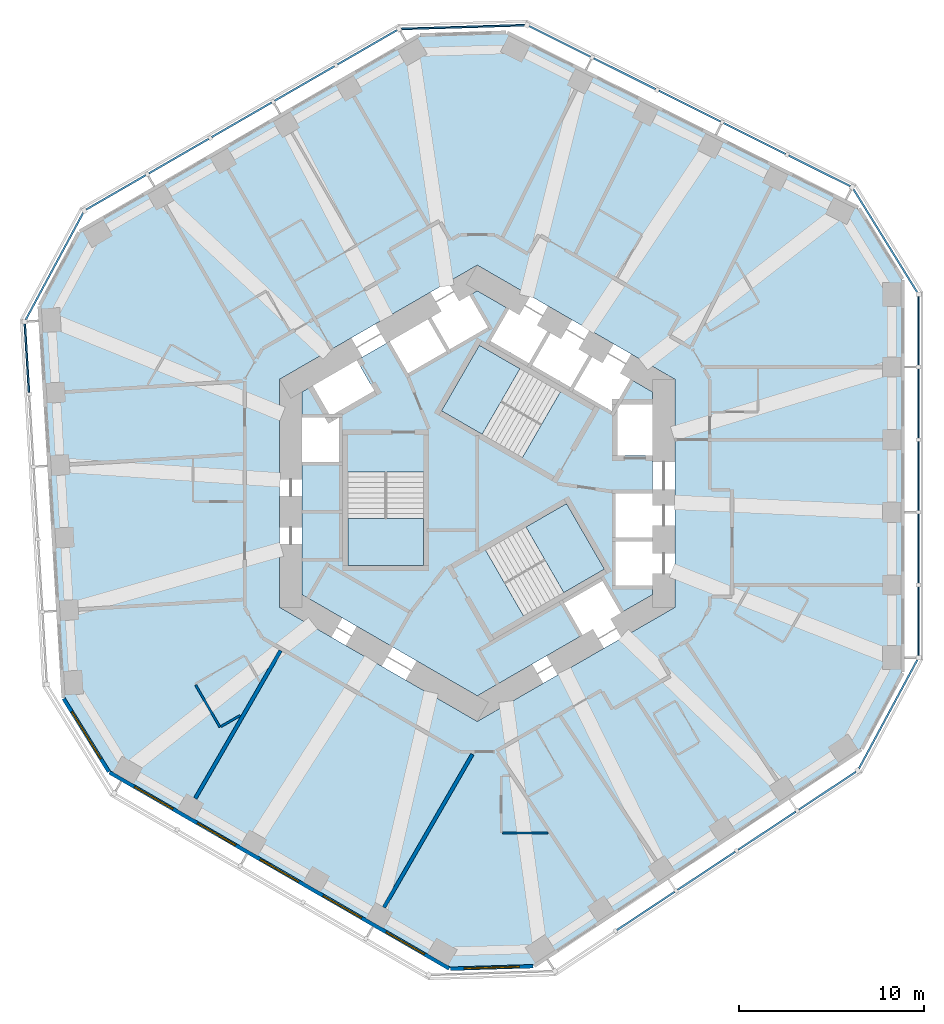
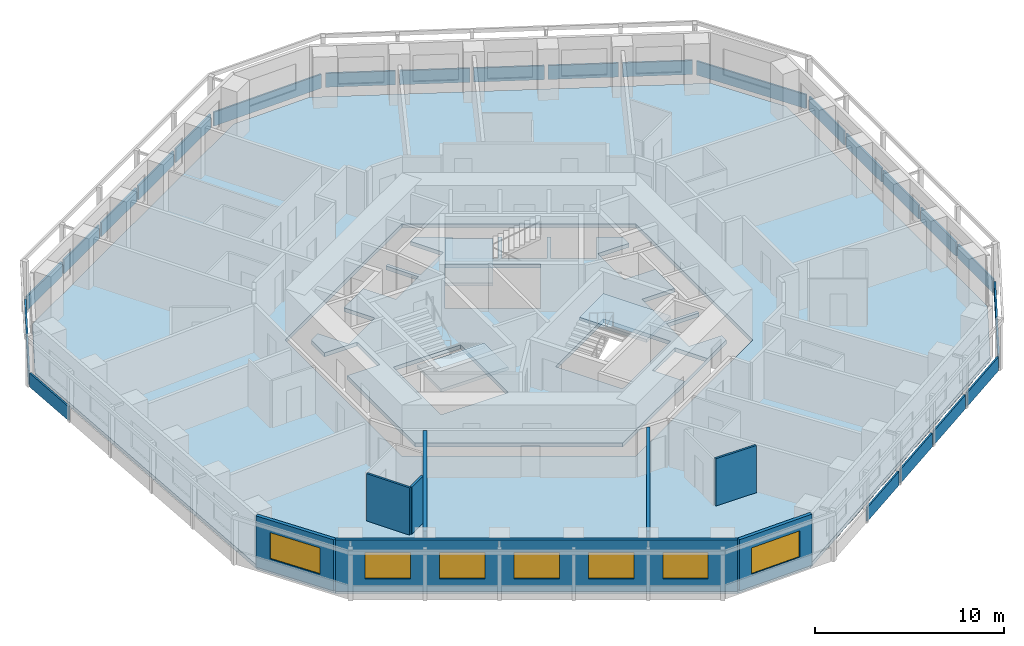
# One storey, part 3 of 12: 24 plates, 8 walls, 7 windows, 5 slabs, 7 openings, 12 elements without a shape of their own.
"""IFC4 building model written with IfcOpenShell, lengths in metres."""

import ifcopenshell
import ifcopenshell.guid

model = None  # the IFC model being written
_history = None  # IfcOwnerHistory: only IFC2X3 demands one
_inside = {}  # id of a spatial element -> (the spatial element, [elements in it])
_under = {}  # id of a project, library or spatial element -> (it, [spatial elements below it])
_declared = {}  # id of a project -> (the project, [libraries it declares])
_typed = {}  # id of a type object -> (the type object, [elements of that type])
_made_of = {}  # id of a material, layer set ... -> (it, [elements and type objects made of it])


def new_model(schema):
    """Start an empty IFC model of exactly this schema.

    Asked for "IFC4X3", IfcOpenShell would pick the latest addendum, in which some entities
    have other attributes; the version numbers below select the first issue.
    IFC2X3 requires an IfcOwnerHistory on every rooted entity: one is made here for all.
    """
    global model, _history
    if schema == "IFC4X3":
        model = ifcopenshell.file(schema_version=(4, 3, 0, 0))
    else:
        model = ifcopenshell.file(schema=schema)
    _inside.clear()
    _under.clear()
    _declared.clear()
    _typed.clear()
    _made_of.clear()
    _history = None
    if model.schema == "IFC2X3":
        org = make("IfcOrganization", Name="unknown")
        user = make(
            "IfcPersonAndOrganization",
            ThePerson=make("IfcPerson", FamilyName="unknown"),
            TheOrganization=org,
        )
        app = make(
            "IfcApplication",
            ApplicationDeveloper=org,
            Version="unknown",
            ApplicationFullName="unknown",
            ApplicationIdentifier="unknown",
        )
        _history = make(
            "IfcOwnerHistory",
            OwningUser=user,
            OwningApplication=app,
            ChangeAction="ADDED",
            CreationDate=0,
        )
    return model


def make(cls, **values):
    """One entity of the class cls with the attributes given. An attribute that is None is left unset."""
    return model.create_entity(
        cls, **{name: value for name, value in values.items() if value is not None}
    )


def rooted(cls, **values):
    """An entity with a GlobalId (a new one), such as an element, a storey or a relation."""
    return make(cls, GlobalId=ifcopenshell.guid.new(), OwnerHistory=_history, **values)


def si_unit(unit_type, name, prefix=None):
    """IfcSIUnit, for example si_unit("LENGTHUNIT", "METRE", prefix="MILLI")."""
    return make("IfcSIUnit", UnitType=unit_type, Prefix=prefix, Name=name)


def assignment(units):
    """IfcUnitAssignment: the units of a project."""
    return None if units is None else make("IfcUnitAssignment", Units=units)


def point(xyz):
    """IfcCartesianPoint."""
    return None if xyz is None else make("IfcCartesianPoint", Coordinates=xyz)


def direction(xyz):
    """IfcDirection."""
    return None if xyz is None else make("IfcDirection", DirectionRatios=xyz)


def frame(location, z_axis=None, x_axis=None):
    """IfcAxis2Placement3D, a coordinate frame: its origin and axes. An axis left out is left unset."""
    return make(
        "IfcAxis2Placement3D",
        Location=point(location),
        Axis=direction(z_axis),
        RefDirection=direction(x_axis),
    )


def frame_2d(location, x_axis=None):
    """IfcAxis2Placement2D, a coordinate frame in the plane: its origin and x axis."""
    return make(
        "IfcAxis2Placement2D", Location=point(location), RefDirection=direction(x_axis)
    )


def origin():
    """The frame at (0, 0, 0) with its axes left unset."""
    return frame((0.0, 0.0, 0.0))


def origin_2d():
    """The frame at (0, 0) in the plane with its x axis left unset."""
    return frame_2d((0.0, 0.0))


def place(relative_to, where):
    """IfcLocalPlacement: puts the frame where relative to a parent placement (None: the world)."""
    return make(
        "IfcLocalPlacement", PlacementRelTo=relative_to, RelativePlacement=where
    )


def context(
    kind, dimensions, precision=None, world=None, true_north=None, identifier=None
):
    """IfcGeometricRepresentationContext, for example the 3D "Model" context."""
    return make(
        "IfcGeometricRepresentationContext",
        ContextIdentifier=identifier,
        ContextType=kind,
        CoordinateSpaceDimension=dimensions,
        Precision=precision,
        WorldCoordinateSystem=world,
        TrueNorth=true_north,
    )


def subcontext(parent, identifier, kind, view, scale=None):
    """IfcGeometricRepresentationSubContext, for example "Body" below "Model"."""
    return make(
        "IfcGeometricRepresentationSubContext",
        ContextIdentifier=identifier,
        ContextType=kind,
        ParentContext=parent,
        TargetScale=scale,
        TargetView=view,
    )


def project(units=None, contexts=None):
    """IfcProject with its units and contexts."""
    return rooted(
        "IfcProject",
        Name="project",
        RepresentationContexts=contexts,
        UnitsInContext=assignment(units),
    )


def spatial(cls, under=None, at=None, **own):
    """A site, building, storey or space (cls), placed at a placement, below another one or the project."""
    s = rooted(cls, ObjectPlacement=at, **own)
    if under is not None:
        _under.setdefault(under.id(), (under, []))[1].append(s)
    return s


def polyline(points):
    """IfcPolyline through the points."""
    return make("IfcPolyline", Points=[point(p) for p in points])


def profile(cls, at=None, kind="AREA", **sizes):
    """A parametric profile (cls). Its sizes go by their IFC names, for example OverallWidth=200.0."""
    return make(cls, ProfileType=kind, Position=at, **sizes)


def rectangle(**sizes):
    """IfcRectangleProfileDef."""
    return profile("IfcRectangleProfileDef", **sizes)


def outline(outer, holes=None, kind="AREA"):
    """IfcArbitraryClosedProfileDef: a profile drawn as a closed curve; with holes, ...WithVoids."""
    if holes is None:
        return make("IfcArbitraryClosedProfileDef", ProfileType=kind, OuterCurve=outer)
    return make(
        "IfcArbitraryProfileDefWithVoids",
        ProfileType=kind,
        OuterCurve=outer,
        InnerCurves=holes,
    )


def extrude(swept, where, along, depth):
    """IfcExtrudedAreaSolid: the profile swept, set in the frame where, extruded along a direction by depth."""
    return make(
        "IfcExtrudedAreaSolid",
        SweptArea=swept,
        Position=where,
        ExtrudedDirection=direction(along),
        Depth=depth,
    )


def shape(context_of_items, identifier, shape_type, items):
    """IfcShapeRepresentation: the items that make up one representation, for example the "Body"."""
    return make(
        "IfcShapeRepresentation",
        ContextOfItems=context_of_items,
        RepresentationIdentifier=identifier,
        RepresentationType=shape_type,
        Items=items,
    )


def material(Name=None, Category=None):
    """IfcMaterial."""
    return make("IfcMaterial", Name=Name, Category=Category)


def layer(
    of_material, thickness, ventilated=None, Name=None, Category=None, Priority=None
):
    """IfcMaterialLayer: one layer of a wall or slab, of a material (None: an air gap)."""
    return make(
        "IfcMaterialLayer",
        Material=of_material,
        LayerThickness=thickness,
        IsVentilated=ventilated,
        Name=Name,
        Category=Category,
        Priority=Priority,
    )


def layer_set(layers, Name=None):
    """IfcMaterialLayerSet."""
    return make("IfcMaterialLayerSet", MaterialLayers=layers, LayerSetName=Name)


def made_of(thing, what):
    """Note that an element or type object is made of a material, layer set ...; save() writes the relation."""
    if what is not None:
        _made_of.setdefault(what.id(), (what, []))[1].append(thing)
    return thing


def type_object(cls, material=None, **own):
    """A type object (cls), such as IfcWallType, which elements share."""
    return made_of(rooted(cls, **own), material)


def element(
    cls,
    number,
    at=None,
    inside=None,
    cuts=None,
    type_object=None,
    material=None,
    context=None,
    identifier="Body",
    shape_type=None,
    held_by="IfcProductDefinitionShape",
    body=None,
    shapes=None,
    **own,
):
    """One element of the class cls, such as IfcWall. Its Tag is "e" and its number.

    at: its placement. inside: the storey or other place that contains it. cuts: it is an
    opening in that element (IfcRelVoidsElement). A single representation is given by context,
    identifier, shape_type and body (its items); several are given by shapes. held_by: the class
    of the entity that holds the representations. save() writes the other relations.
    """
    e = rooted(cls, Tag="e%d" % number, ObjectPlacement=at, **own)
    if body is not None:
        shapes = [shape(context, identifier, shape_type, body)]
    if shapes is not None:
        e.Representation = make(held_by, Representations=shapes)
    if inside is not None:
        _inside.setdefault(inside.id(), (inside, []))[1].append(e)
    if cuts is not None:
        rooted(
            "IfcRelVoidsElement", RelatingBuildingElement=cuts, RelatedOpeningElement=e
        )
    if type_object is not None:
        _typed.setdefault(type_object.id(), (type_object, []))[1].append(e)
    return made_of(e, material)


def fill(opening, filler):
    """IfcRelFillsElement: the door or window that sits in an opening."""
    return rooted(
        "IfcRelFillsElement",
        RelatingOpeningElement=opening,
        RelatedBuildingElement=filler,
    )


def aggregate(whole, parts):
    """IfcRelAggregates: a whole, such as a stair, and the parts it consists of."""
    return rooted("IfcRelAggregates", RelatingObject=whole, RelatedObjects=parts)


def save(model, path):
    """Write the relations noted so far, then the file.

    IfcRelAggregates (storeys below a building ...), IfcRelContainedInSpatialStructure (elements
    in a storey), IfcRelDefinesByType, IfcRelAssociatesMaterial and IfcRelDeclares: one each for
    every whole, place, type object, material and project.
    """
    for whole, parts in _under.values():
        aggregate(whole, parts)
    for where, things in _inside.values():
        rooted(
            "IfcRelContainedInSpatialStructure",
            RelatedElements=things,
            RelatingStructure=where,
        )
    for kind, things in _typed.values():
        rooted("IfcRelDefinesByType", RelatedObjects=things, RelatingType=kind)
    for what, things in _made_of.values():
        rooted("IfcRelAssociatesMaterial", RelatedObjects=things, RelatingMaterial=what)
    for by, libraries in _declared.values():
        rooted("IfcRelDeclares", RelatingContext=by, RelatedDefinitions=libraries)
    model.write(path)


model = new_model("IFC4")

# Units and contexts
model_context = context("Model", 3, precision=1e-05, world=origin(), true_north=direction((0.0, 1.0)))
body_context = subcontext(model_context, "Body", "Model", "MODEL_VIEW")
ifc_project = project(units=[si_unit("LENGTHUNIT", "METRE"), si_unit("AREAUNIT", "SQUARE_METRE"), si_unit("VOLUMEUNIT", "CUBIC_METRE"), si_unit("PLANEANGLEUNIT", "RADIAN"), si_unit("MASSUNIT", "GRAM", prefix="KILO")], contexts=[model_context])

# Site, building, storey
site_placement = place(None, origin())
site = spatial("IfcSite", under=ifc_project, at=site_placement, CompositionType="ELEMENT")
building_placement = place(site_placement, origin())
building = spatial("IfcBuilding", under=site, at=building_placement, Name="Vanh Sen Convention Tower", CompositionType="ELEMENT")
storey_placement = place(building_placement, frame((0.0, 0.0, 113.300048828125)))
storey = spatial("IfcBuildingStorey", under=building, at=storey_placement, Name="L27", CompositionType="ELEMENT", Elevation=113.300048828125)

# Slabs
ifc_material_1 = material(Name="Concrete C40/50", Category="concrete")
ifc_layer_1 = layer(ifc_material_1, 0.25)
ifc_layer_set_1 = layer_set([ifc_layer_1], Name="Concrete C40/50")
slab_type_1 = type_object("IfcSlabType", Name="Core slab 250", PredefinedType="FLOOR", material=ifc_layer_set_1)
slab_1_placement = place(storey_placement, frame((0.0, 0.0, -0.25)))
element("IfcSlab", 1, at=slab_1_placement, inside=storey, type_object=slab_type_1, Name="Core slab L27", PredefinedType="FLOOR", context=body_context, shape_type="SweptSolid", body=[
    extrude(outline(polyline([(9.5, 5.48486328125), (9.5, 4.800048828125), (7.60009765625, 4.800048828125), (7.60009765625, 2.050048828125), (9.5, 2.050048828125), (9.5, 0.0), (7.5, 0.0), (7.5, -2.39990234375), (9.5, -2.39990234375), (9.5, -2.60009765625), (7.5, -2.60009765625), (7.5, -5.0), (9.5, -5.0), (9.5, -5.48486328125), (0.0, -10.9697265625), (-9.5, -5.48486328125), (-9.5, 1.699951171875), (-7.5, 1.699951171875), (-7.5, 4.10009765625), (-9.5, 4.10009765625), (-9.5, 5.48486328125), (-8.906982421875, 5.8271484375), (-7.956787109375, 4.181884765625), (-5.575439453125, 5.556884765625), (-6.525390625, 7.2021484375), (-4.75, 8.227294921875), (-3.75, 6.4951171875), (-1.67138671875, 7.6953125), (-2.67138671875, 9.42724609375), (-2.498291015625, 9.527099609375), (-1.498291015625, 7.795166015625), (0.580078125, 8.9951171875), (-0.419921875, 10.727294921875), (0.0, 10.9697265625), (1.718994140625, 9.977294921875), (0.718994140625, 8.2451171875), (2.79736328125, 7.045166015625), (3.79736328125, 8.777099609375), (3.970703125, 8.67724609375), (2.970703125, 6.9453125), (5.049072265625, 5.7451171875), (6.049072265625, 7.477294921875), (6.22216796875, 7.377197265625), (5.22216796875, 5.645263671875), (7.30078125, 4.4453125), (8.30078125, 6.17724609375), (9.5, 5.48486328125)]), holes=[polyline([(-7.0, 3.14990234375), (-7.0, -3.909912109375), (-2.89990234375, -3.909912109375), (-2.89990234375, 3.14990234375), (-2.89990234375, 1.1494140625), (-7.0, 1.1494140625), (-7.0, 3.14990234375)]), polyline([(4.495361328125, 5.487548828125), (6.22802734375, 4.4873046875), (0.11376953125, 8.01708984375), (-1.936279296875, 4.466552734375), (2.4453125, 1.936767578125), (4.495361328125, 5.487548828125)]), polyline([(7.781005859375, -6.477294921875), (6.781005859375, -4.7451171875), (4.70263671875, -5.9453125), (5.70263671875, -7.67724609375), (7.781005859375, -6.477294921875)]), polyline([(0.45458984375, -3.086181640625), (2.504638671875, -6.63671875), (6.88623046875, -4.107177734375), (4.836181640625, -0.556396484375), (-1.278076171875, -4.08642578125), (0.45458984375, -3.086181640625)])]), origin(), (0.0, 0.0, 1.0), 0.25),
])
ifc_layer_2 = layer(ifc_material_1, 0.25)
ifc_layer_set_2 = layer_set([ifc_layer_2], Name="Concrete C40/50")
slab_type_2 = type_object("IfcSlabType", Name="Floor slab 250 REI 120", PredefinedType="FLOOR", material=ifc_layer_set_2)
slab_2_placement = place(storey_placement, frame((0.0, 0.0, -0.25)))
element("IfcSlab", 2, at=slab_2_placement, inside=storey, type_object=slab_type_2, Name="Floor slab L27 tower", PredefinedType="FLOOR", context=body_context, shape_type="SweptSolid", body=[
    extrude(outline(polyline([(23.0, -9.69921875), (23.0, 11.57373046875), (20.620361328125, 15.419189453125), (1.58251953125, 24.911376953125), (-3.10009765625, 24.768310546875), (-21.523193359375, 14.131591796875), (-23.663818359375, 10.14794921875), (-22.364990234375, -11.085205078125), (-19.89990234375, -15.069091796875), (-1.476806640625, -25.705322265625), (3.04345703125, -25.5673828125), (20.78271484375, -13.825927734375), (23.0, -9.69921875)]), holes=[polyline([(0.0, 12.355224609375), (-10.699951171875, 6.177490234375), (-10.699951171875, -6.177490234375), (0.0, -12.355224609375), (10.699951171875, -6.177490234375), (10.699951171875, 6.177490234375), (0.0, 12.355224609375)])]), origin(), (0.0, 0.0, 1.0), 0.25),
])

# Curtain wall, plates
ifc_material_2 = material(Name="Concrete C50/60", Category="concrete")
curtain_wall_type = type_object("IfcCurtainWallType", Name="Outer skin hotel zone", PredefinedType="NOTDEFINED", material=ifc_material_2)
curtain_wall_1_placement = place(storey_placement, origin())
curtain_wall_1 = element("IfcCurtainWall", 3, at=curtain_wall_1_placement, inside=storey, type_object=curtain_wall_type, Name="OUTER SKIN E L27", PredefinedType="NOTDEFINED")
ifc_layer_3 = layer(ifc_material_2, 0.10009765625)
ifc_layer_set_3 = layer_set([ifc_layer_3], Name="Concrete C50/60")
plate_type = type_object("IfcPlateType", Name="Outer skin precast screen panel 100", PredefinedType="CURTAIN_PANEL", material=ifc_layer_set_3)
plate_1_placement = place(storey_placement, frame((23.89990234375, -6.91943359375, 0.0), z_axis=(0.0, 0.0, 1.0), x_axis=(0.0, 1.0, 0.0)))
plate_1 = element("IfcPlate", 4, at=plate_1_placement, type_object=plate_type, Name="OUTER SKIN screen panel E-1", PredefinedType="CURTAIN_PANEL", context=body_context, shape_type="SweptSolid", body=[
    extrude(rectangle(XDim=3.709716796875, YDim=0.10009765625, at=origin_2d()), origin(), (0.0, 0.0, 1.0), 0.89990234375),
])
plate_2_placement = place(storey_placement, frame((23.89990234375, -2.997314453125, 0.0), z_axis=(0.0, 0.0, 1.0), x_axis=(0.0, 1.0, 0.0)))
plate_2 = element("IfcPlate", 5, at=plate_2_placement, type_object=plate_type, Name="OUTER SKIN screen panel E-2", PredefinedType="CURTAIN_PANEL", context=body_context, shape_type="SweptSolid", body=[
    extrude(rectangle(XDim=3.734619140625, YDim=0.10009765625, at=origin_2d()), origin(), (0.0, 0.0, 1.0), 0.89990234375),
])
plate_3_placement = place(storey_placement, frame((23.89990234375, 0.937255859375, 0.0), z_axis=(0.0, 0.0, 1.0), x_axis=(0.0, 1.0, 0.0)))
plate_3 = element("IfcPlate", 6, at=plate_3_placement, type_object=plate_type, Name="OUTER SKIN screen panel E-3", PredefinedType="CURTAIN_PANEL", context=body_context, shape_type="SweptSolid", body=[
    extrude(rectangle(XDim=3.734619140625, YDim=0.10009765625, at=origin_2d()), origin(), (0.0, 0.0, 1.0), 0.89990234375),
])
plate_4_placement = place(storey_placement, frame((23.89990234375, 4.871826171875, 0.0), z_axis=(0.0, 0.0, 1.0), x_axis=(0.0, 1.0, 0.0)))
plate_4 = element("IfcPlate", 7, at=plate_4_placement, type_object=plate_type, Name="OUTER SKIN screen panel E-4", PredefinedType="CURTAIN_PANEL", context=body_context, shape_type="SweptSolid", body=[
    extrude(rectangle(XDim=3.734619140625, YDim=0.10009765625, at=origin_2d()), origin(), (0.0, 0.0, 1.0), 0.89990234375),
])
plate_5_placement = place(storey_placement, frame((23.89990234375, 8.7939453125, 0.0), z_axis=(0.0, 0.0, 1.0), x_axis=(0.0, 1.0, 0.0)))
plate_5 = element("IfcPlate", 8, at=plate_5_placement, type_object=plate_type, Name="OUTER SKIN screen panel E-5", PredefinedType="CURTAIN_PANEL", context=body_context, shape_type="SweptSolid", body=[
    extrude(rectangle(XDim=3.709716796875, YDim=0.10009765625, at=origin_2d()), origin(), (0.0, 0.0, 1.0), 0.89990234375),
])
aggregate(curtain_wall_1, [plate_1, plate_2, plate_3, plate_4, plate_5])

# Curtain wall, plate
curtain_wall_2_placement = place(storey_placement, origin())
curtain_wall_2 = element("IfcCurtainWall", 9, at=curtain_wall_2_placement, inside=storey, type_object=curtain_wall_type, Name="OUTER SKIN CH1 L27", PredefinedType="NOTDEFINED")
plate_6_placement = place(storey_placement, frame((22.102783203125, 13.677734375, 0.0), z_axis=(0.0, 0.0, 1.0), x_axis=(-0.526212439506, 0.850353143411, 0.0)))
plate_6 = element("IfcPlate", 10, at=plate_6_placement, type_object=plate_type, Name="OUTER SKIN screen panel CH1-1", PredefinedType="CURTAIN_PANEL", context=body_context, shape_type="SweptSolid", body=[
    extrude(rectangle(XDim=6.580078125, YDim=0.10009765625, at=origin_2d()), origin(), (0.0, 0.0, 1.0), 0.89990234375),
])
aggregate(curtain_wall_2, [plate_6])

# Curtain wall, plates
curtain_wall_3_placement = place(storey_placement, origin())
curtain_wall_3 = element("IfcCurtainWall", 11, at=curtain_wall_3_placement, inside=storey, type_object=curtain_wall_type, Name="OUTER SKIN NE L27", PredefinedType="NOTDEFINED")
plate_7_placement = place(storey_placement, frame((18.5341796875, 17.465087890625, 0.0), z_axis=(0.0, 0.0, 1.0), x_axis=(-0.894935140363, 0.446196251154, 0.0)))
plate_7 = element("IfcPlate", 12, at=plate_7_placement, type_object=plate_type, Name="OUTER SKIN screen panel NE-1", PredefinedType="CURTAIN_PANEL", context=body_context, shape_type="SweptSolid", body=[
    extrude(rectangle(XDim=3.709716796875, YDim=0.10009765625, at=origin_2d()), origin(), (0.0, 0.0, 1.0), 0.89990234375),
])
plate_8_placement = place(storey_placement, frame((15.024169921875, 19.215087890625, 0.0), z_axis=(0.0, 0.0, 1.0), x_axis=(-0.894935140363, 0.446196251154, 0.0)))
plate_8 = element("IfcPlate", 13, at=plate_8_placement, type_object=plate_type, Name="OUTER SKIN screen panel NE-2", PredefinedType="CURTAIN_PANEL", context=body_context, shape_type="SweptSolid", body=[
    extrude(rectangle(XDim=3.734619140625, YDim=0.10009765625, at=origin_2d()), origin(), (0.0, 0.0, 1.0), 0.89990234375),
])
plate_9_placement = place(storey_placement, frame((11.5029296875, 20.970703125, 0.0), z_axis=(0.0, 0.0, 1.0), x_axis=(-0.894935140363, 0.446196251154, 0.0)))
plate_9 = element("IfcPlate", 14, at=plate_9_placement, type_object=plate_type, Name="OUTER SKIN screen panel NE-3", PredefinedType="CURTAIN_PANEL", context=body_context, shape_type="SweptSolid", body=[
    extrude(rectangle(XDim=3.734619140625, YDim=0.10009765625, at=origin_2d()), origin(), (0.0, 0.0, 1.0), 0.89990234375),
])
plate_10_placement = place(storey_placement, frame((7.981689453125, 22.726318359375, 0.0), z_axis=(0.0, 0.0, 1.0), x_axis=(-0.894935140363, 0.446196251154, 0.0)))
plate_10 = element("IfcPlate", 15, at=plate_10_placement, type_object=plate_type, Name="OUTER SKIN screen panel NE-4", PredefinedType="CURTAIN_PANEL", context=body_context, shape_type="SweptSolid", body=[
    extrude(rectangle(XDim=3.734619140625, YDim=0.10009765625, at=origin_2d()), origin(), (0.0, 0.0, 1.0), 0.89990234375),
])
plate_11_placement = place(storey_placement, frame((4.4716796875, 24.476318359375, 0.0), z_axis=(0.0, 0.0, 1.0), x_axis=(-0.894935140363, 0.446196251154, 0.0)))
plate_11 = element("IfcPlate", 16, at=plate_11_placement, type_object=plate_type, Name="OUTER SKIN screen panel NE-5", PredefinedType="CURTAIN_PANEL", context=body_context, shape_type="SweptSolid", body=[
    extrude(rectangle(XDim=3.709716796875, YDim=0.10009765625, at=origin_2d()), origin(), (0.0, 0.0, 1.0), 0.89990234375),
])
aggregate(curtain_wall_3, [plate_7, plate_8, plate_9, plate_10, plate_11])

# Curtain wall, plate
curtain_wall_4_placement = place(storey_placement, origin())
curtain_wall_4 = element("IfcCurtainWall", 17, at=curtain_wall_4_placement, inside=storey, type_object=curtain_wall_type, Name="OUTER SKIN CH2 L27", PredefinedType="NOTDEFINED")
plate_12_placement = place(storey_placement, frame((-0.771484375, 25.253662109375, 0.0), z_axis=(0.0, 0.0, 1.0), x_axis=(-0.999533644135, -0.030536768695, 0.0)))
plate_12 = element("IfcPlate", 18, at=plate_12_placement, type_object=plate_type, Name="OUTER SKIN screen panel CH2-1", PredefinedType="CURTAIN_PANEL", context=body_context, shape_type="SweptSolid", body=[
    extrude(rectangle(XDim=6.696044921875, YDim=0.10009765625, at=origin_2d()), origin(), (0.0, 0.0, 1.0), 0.89990234375),
])
aggregate(curtain_wall_4, [plate_12])

# Curtain wall, plates
curtain_wall_5_placement = place(storey_placement, origin())
curtain_wall_5 = element("IfcCurtainWall", 19, at=curtain_wall_5_placement, inside=storey, type_object=curtain_wall_type, Name="OUTER SKIN NW L27", PredefinedType="NOTDEFINED")
plate_13_placement = place(storey_placement, frame((-5.95751953125, 24.15771484375, 0.0), z_axis=(0.0, 0.0, 1.0), x_axis=(-0.866028021766, -0.499995465495, 0.0)))
plate_13 = element("IfcPlate", 20, at=plate_13_placement, type_object=plate_type, Name="OUTER SKIN screen panel NW-1", PredefinedType="CURTAIN_PANEL", context=body_context, shape_type="SweptSolid", body=[
    extrude(rectangle(XDim=3.709716796875, YDim=0.10009765625, at=origin_2d()), origin(), (0.0, 0.0, 1.0), 0.89990234375),
])
plate_14_placement = place(storey_placement, frame((-9.354248046875, 22.19677734375, 0.0), z_axis=(0.0, 0.0, 1.0), x_axis=(-0.866021040428, -0.500007557478, 0.0)))
plate_14 = element("IfcPlate", 21, at=plate_14_placement, type_object=plate_type, Name="OUTER SKIN screen panel NW-2", PredefinedType="CURTAIN_PANEL", context=body_context, shape_type="SweptSolid", body=[
    extrude(rectangle(XDim=3.734619140625, YDim=0.10009765625, at=origin_2d()), origin(), (0.0, 0.0, 1.0), 0.89990234375),
])
plate_15_placement = place(storey_placement, frame((-12.76171875, 20.2294921875, 0.0), z_axis=(0.0, 0.0, 1.0), x_axis=(-0.866028021766, -0.499995465495, 0.0)))
plate_15 = element("IfcPlate", 22, at=plate_15_placement, type_object=plate_type, Name="OUTER SKIN screen panel NW-3", PredefinedType="CURTAIN_PANEL", context=body_context, shape_type="SweptSolid", body=[
    extrude(rectangle(XDim=3.734619140625, YDim=0.10009765625, at=origin_2d()), origin(), (0.0, 0.0, 1.0), 0.89990234375),
])
plate_16_placement = place(storey_placement, frame((-16.169189453125, 18.26220703125, 0.0), z_axis=(0.0, 0.0, 1.0), x_axis=(-0.866028021766, -0.499995465495, 0.0)))
plate_16 = element("IfcPlate", 23, at=plate_16_placement, type_object=plate_type, Name="OUTER SKIN screen panel NW-4", PredefinedType="CURTAIN_PANEL", context=body_context, shape_type="SweptSolid", body=[
    extrude(rectangle(XDim=3.734619140625, YDim=0.10009765625, at=origin_2d()), origin(), (0.0, 0.0, 1.0), 0.89990234375),
])
plate_17_placement = place(storey_placement, frame((-19.56591796875, 16.301025390625, 0.0), z_axis=(0.0, 0.0, 1.0), x_axis=(-0.866021040428, -0.500007557478, 0.0)))
plate_17 = element("IfcPlate", 24, at=plate_17_placement, type_object=plate_type, Name="OUTER SKIN screen panel NW-5", PredefinedType="CURTAIN_PANEL", context=body_context, shape_type="SweptSolid", body=[
    extrude(rectangle(XDim=3.70947265625, YDim=0.10009765625, at=origin_2d()), origin(), (0.0, 0.0, 1.0), 0.89990234375),
])
aggregate(curtain_wall_5, [plate_13, plate_14, plate_15, plate_16, plate_17])

# Curtain wall, plate
curtain_wall_6_placement = place(storey_placement, origin())
curtain_wall_6 = element("IfcCurtainWall", 25, at=curtain_wall_6_placement, inside=storey, type_object=curtain_wall_type, Name="OUTER SKIN CH3 L27", PredefinedType="NOTDEFINED")
plate_18_placement = place(storey_placement, frame((-22.896728515625, 12.302978515625, 0.0), z_axis=(0.0, 0.0, 1.0), x_axis=(-0.47331812974, -0.880891564303, 0.0)))
plate_18 = element("IfcPlate", 26, at=plate_18_placement, type_object=plate_type, Name="OUTER SKIN screen panel CH3-1", PredefinedType="CURTAIN_PANEL", context=body_context, shape_type="SweptSolid", body=[
    extrude(rectangle(XDim=6.580078125, YDim=0.10009765625, at=origin_2d()), origin(), (0.0, 0.0, 1.0), 0.89990234375),
])
aggregate(curtain_wall_6, [plate_18])

curtain_wall_7_placement = place(storey_placement, origin())
curtain_wall_7 = element("IfcCurtainWall", 27, at=curtain_wall_7_placement, inside=storey, type_object=curtain_wall_type, Name="OUTER SKIN W L27", PredefinedType="NOTDEFINED")
plate_19_placement = place(storey_placement, frame((-24.39208984375, 7.318603515625, 0.0), z_axis=(0.0, 0.0, 1.0), x_axis=(0.061046797461, -0.99813490497, 0.0)))
plate_19 = element("IfcPlate", 28, at=plate_19_placement, type_object=plate_type, Name="OUTER SKIN screen panel W-1", PredefinedType="CURTAIN_PANEL", context=body_context, shape_type="SweptSolid", body=[
    extrude(rectangle(XDim=3.709716796875, YDim=0.10009765625, at=origin_2d()), origin(), (0.0, 0.0, 1.0), 0.89990234375),
])
aggregate(curtain_wall_7, [plate_19])

# Curtain wall, plates
curtain_wall_8_placement = place(storey_placement, origin())
curtain_wall_8 = element("IfcCurtainWall", 29, at=curtain_wall_8_placement, inside=storey, type_object=curtain_wall_type, Name="OUTER SKIN SE L27", PredefinedType="NOTDEFINED")
plate_20_placement = place(storey_placement, frame((9.128662109375, -22.618896484375, 0.0), z_axis=(0.0, 0.0, 1.0), x_axis=(0.833891601892, 0.55192825285, 0.0)))
plate_20 = element("IfcPlate", 30, at=plate_20_placement, type_object=plate_type, Name="OUTER SKIN screen panel SE-2", PredefinedType="CURTAIN_PANEL", context=body_context, shape_type="SweptSolid", body=[
    extrude(rectangle(XDim=3.734619140625, YDim=0.10009765625, at=origin_2d()), origin(), (0.0, 0.0, 1.0), 0.89990234375),
])
plate_21_placement = place(storey_placement, frame((12.40966796875, -20.447265625, 0.0), z_axis=(0.0, 0.0, 1.0), x_axis=(0.833880042151, 0.551945717714, 0.0)))
plate_21 = element("IfcPlate", 31, at=plate_21_placement, type_object=plate_type, Name="OUTER SKIN screen panel SE-3", PredefinedType="CURTAIN_PANEL", context=body_context, shape_type="SweptSolid", body=[
    extrude(rectangle(XDim=3.734619140625, YDim=0.10009765625, at=origin_2d()), origin(), (0.0, 0.0, 1.0), 0.89990234375),
])
plate_22_placement = place(storey_placement, frame((15.690673828125, -18.275390625, 0.0), z_axis=(0.0, 0.0, 1.0), x_axis=(0.833891601892, 0.55192825285, 0.0)))
plate_22 = element("IfcPlate", 32, at=plate_22_placement, type_object=plate_type, Name="OUTER SKIN screen panel SE-4", PredefinedType="CURTAIN_PANEL", context=body_context, shape_type="SweptSolid", body=[
    extrude(rectangle(XDim=3.734619140625, YDim=0.10009765625, at=origin_2d()), origin(), (0.0, 0.0, 1.0), 0.89990234375),
])
plate_23_placement = place(storey_placement, frame((18.961181640625, -16.11083984375, 0.0), z_axis=(0.0, 0.0, 1.0), x_axis=(0.833880042151, 0.551945717714, 0.0)))
plate_23 = element("IfcPlate", 33, at=plate_23_placement, type_object=plate_type, Name="OUTER SKIN screen panel SE-5", PredefinedType="CURTAIN_PANEL", context=body_context, shape_type="SweptSolid", body=[
    extrude(rectangle(XDim=3.709716796875, YDim=0.10009765625, at=origin_2d()), origin(), (0.0, 0.0, 1.0), 0.89990234375),
])
aggregate(curtain_wall_8, [plate_20, plate_21, plate_22, plate_23])

# Curtain wall, plate
curtain_wall_9_placement = place(storey_placement, origin())
curtain_wall_9 = element("IfcCurtainWall", 34, at=curtain_wall_9_placement, inside=storey, type_object=curtain_wall_type, Name="OUTER SKIN CH6 L27", PredefinedType="NOTDEFINED")
plate_24_placement = place(storey_placement, frame((22.256103515625, -11.95849609375, 0.0), z_axis=(0.0, 0.0, 1.0), x_axis=(0.473322742071, 0.880889086003, 0.0)))
plate_24 = element("IfcPlate", 35, at=plate_24_placement, type_object=plate_type, Name="OUTER SKIN screen panel CH6-1", PredefinedType="CURTAIN_PANEL", context=body_context, shape_type="SweptSolid", body=[
    extrude(rectangle(XDim=6.6962890625, YDim=0.10009765625, at=origin_2d()), origin(), (0.0, 0.0, 1.0), 0.89990234375),
])
aggregate(curtain_wall_9, [plate_24])

# Stair, slab
ifc_material_3 = material(Name="Concrete C50/60", Category="concrete")
stair_type_1 = type_object("IfcStairType", Name="Exit stair ST1 20 risers at 165.0", PredefinedType="HALF_TURN_STAIR", material=ifc_material_3)
stair_1_placement = place(storey_placement, origin())
stair_1 = element("IfcStair", 36, at=stair_1_placement, inside=storey, type_object=stair_type_1, Name="Exit stair ST1 L27", PredefinedType="HALF_TURN_STAIR")
ifc_layer_4 = layer(ifc_material_1, 0.199951171875)
ifc_layer_set_4 = layer_set([ifc_layer_4], Name="Concrete C40/50")
slab_type_3 = type_object("IfcSlabType", Name="Stair landing 200", PredefinedType="LANDING", material=ifc_layer_set_4)
slab_3_placement = place(storey_placement, frame((0.0, 0.0, 1.449951171875)))
slab_3 = element("IfcSlab", 37, at=slab_3_placement, type_object=slab_type_3, Name="ST1 landing 1", PredefinedType="LANDING", context=body_context, shape_type="SweptSolid", body=[
    extrude(outline(polyline([(2.314208984375, 6.746826171875), (0.11376953125, 8.01708984375), (-1.936279296875, 4.466552734375), (0.26416015625, 3.196044921875), (2.314208984375, 6.746826171875)])), origin(), (0.0, 0.0, 1.0), 0.199951171875),
])
aggregate(stair_1, [slab_3])

stair_type_2 = type_object("IfcStairType", Name="Exit stair ST2 20 risers at 165.0", PredefinedType="HALF_TURN_STAIR", material=ifc_material_3)
stair_2_placement = place(storey_placement, origin())
stair_2 = element("IfcStair", 38, at=stair_2_placement, inside=storey, type_object=stair_type_2, Name="Exit stair ST2 L27", PredefinedType="HALF_TURN_STAIR")
slab_4_placement = place(storey_placement, frame((0.0, 0.0, 1.449951171875)))
slab_4 = element("IfcSlab", 39, at=slab_4_placement, type_object=slab_type_3, Name="ST2 landing 1", PredefinedType="LANDING", context=body_context, shape_type="SweptSolid", body=[
    extrude(outline(polyline([(-7.0, -1.369384765625), (-7.0, -3.909912109375), (-2.89990234375, -3.909912109375), (-2.89990234375, -1.369384765625), (-7.0, -1.369384765625)])), origin(), (0.0, 0.0, 1.0), 0.199951171875),
])
aggregate(stair_2, [slab_4])

stair_type_3 = type_object("IfcStairType", Name="Exit stair ST3 20 risers at 165.0", PredefinedType="HALF_TURN_STAIR", material=ifc_material_3)
stair_3_placement = place(storey_placement, origin())
stair_3 = element("IfcStair", 40, at=stair_3_placement, inside=storey, type_object=stair_type_3, Name="Exit stair ST3 L27", PredefinedType="HALF_TURN_STAIR")
slab_5_placement = place(storey_placement, frame((0.0, 0.0, 1.449951171875)))
slab_5 = element("IfcSlab", 41, at=slab_5_placement, type_object=slab_type_3, Name="ST3 landing 1", PredefinedType="LANDING", context=body_context, shape_type="SweptSolid", body=[
    extrude(outline(polyline([(4.685791015625, -5.37744140625), (6.88623046875, -4.107177734375), (4.836181640625, -0.556396484375), (2.6357421875, -1.826904296875), (4.685791015625, -5.37744140625)])), origin(), (0.0, 0.0, 1.0), 0.199951171875),
])
aggregate(stair_3, [slab_5])

# Walls
ifc_material_4 = material(Name="Moisture-resistant gypsum board on steel studs", Category="steel")
ifc_layer_5 = layer(ifc_material_4, 0.1201171875)
ifc_layer_set_5 = layer_set([ifc_layer_5], Name="Moisture-resistant gypsum board on steel studs")
wall_type_1 = type_object("IfcWallType", Name="Bathroom partition 120", PredefinedType="PARTITIONING", material=ifc_layer_set_5)
wall_1_placement = place(storey_placement, frame((-13.935546875, -12.66455078125, 0.0), z_axis=(0.0, 0.0, 1.0), x_axis=(-0.500007957085, 0.86602080971, 0.0)))
element("IfcWall", 42, at=wall_1_placement, inside=storey, type_object=wall_type_1, Name="Bathroom partition 120", PredefinedType="PARTITIONING", context=body_context, shape_type="SweptSolid", body=[
    extrude(rectangle(XDim=2.64013671875, YDim=0.1201171875, at=frame_2d((1.320068359375, 0.0))), origin(), (0.0, 0.0, 1.0), 3.050048828125),
])
wall_2_placement = place(storey_placement, frame((-12.841552734375, -12.03271484375, 0.0), z_axis=(0.0, 0.0, 1.0), x_axis=(-0.865949042838, -0.500132237721, 0.0)))
element("IfcWall", 43, at=wall_2_placement, inside=storey, type_object=wall_type_1, Name="Bathroom partition 120", PredefinedType="PARTITIONING", context=body_context, shape_type="SweptSolid", body=[
    extrude(rectangle(XDim=1.203369140625, YDim=0.1201171875, at=frame_2d((0.6015625, 0.0))), origin(), (0.0, 0.0, 1.0), 3.050048828125),
])
wall_3_placement = place(storey_placement, frame((3.82763671875, -18.400634765625, 0.0), z_axis=(0.0, 0.0, 1.0), x_axis=(-1.0, 0.0, 0.0)))
element("IfcWall", 44, at=wall_3_placement, inside=storey, type_object=wall_type_1, Name="Bathroom partition 120", PredefinedType="PARTITIONING", context=body_context, shape_type="SweptSolid", body=[
    extrude(rectangle(XDim=2.467529296875, YDim=0.1201171875, at=frame_2d((1.23388671875, 0.0))), origin(), (0.0, 0.0, 1.0), 3.050048828125),
])

# Wall, opening, window
ifc_material_5 = material(Name="Insulated lightweight infill wall")
ifc_layer_6 = layer(ifc_material_5, 0.199951171875)
ifc_layer_set_6 = layer_set([ifc_layer_6], Name="Insulated lightweight infill wall")
wall_type_2 = type_object("IfcWallType", Name="External wall 200", PredefinedType="STANDARD", material=ifc_layer_set_6)
wall_4_placement = place(storey_placement, frame((-22.40087890625, -11.122314453125, 0.0), z_axis=(0.0, 0.0, 1.0), x_axis=(0.526197679914, -0.850362276711, 0.0)))
wall_4 = element("IfcWall", 45, at=wall_4_placement, inside=storey, type_object=wall_type_2, Name="External wall CH4 L27", PredefinedType="STANDARD", context=body_context, shape_type="SweptSolid", body=[
    extrude(rectangle(XDim=4.65966796875, YDim=0.199951171875, at=frame_2d((2.329833984375, 0.0))), origin(), (0.0, 0.0, 1.0), 3.300048828125),
])
opening_1_placement = place(wall_4_placement, frame((0.829833984375, 0.0, 0.800048828125)))
opening_1 = element("IfcOpeningElement", 46, at=opening_1_placement, cuts=wall_4, Name="Opening WH2-CH41", PredefinedType="OPENING", context=body_context, shape_type="SweptSolid", body=[
    extrude(rectangle(XDim=3.0, YDim=1.699951171875, at=frame_2d((1.5, 0.85009765625))), frame((0.0, 0.10986328125, 0.0), z_axis=(0.0, -1.0, 0.0), x_axis=(1.0, 0.0, 0.0)), (0.0, 0.0, 1.0), 0.219970703125),
])
ifc_material_6 = material(Name="Aluminium frame with clear low-emissivity glass", Category="aluminium")
window_type_1 = type_object("IfcWindowType", Name="Hotel window 3000 x 1700", PartitioningType="SINGLE_PANEL", PredefinedType="WINDOW", material=ifc_material_6)
window_1_placement = place(opening_1_placement, origin())
window_1 = element("IfcWindow", 47, at=window_1_placement, inside=storey, type_object=window_type_1, Name="Window WH2-CH41", OverallHeight=1.699951171875, OverallWidth=3.0, PartitioningType="SINGLE_PANEL", PredefinedType="WINDOW", context=body_context, shape_type="SweptSolid", body=[
    extrude(rectangle(XDim=3.0, YDim=1.699951171875, at=frame_2d((1.5, 0.85009765625))), frame((0.0, 0.030029296875, 0.0), z_axis=(0.0, -1.0, 0.0), x_axis=(1.0, 0.0, 0.0)), (0.0, 0.0, 1.0), 0.06005859375),
])
fill(opening_1, window_1)

# Wall, openings, windows
wall_5_placement = place(storey_placement, frame((-19.913818359375, -15.11865234375, 0.0), z_axis=(0.0, 0.0, 1.0), x_axis=(0.866025418898, -0.499999973822, 0.0)))
wall_5 = element("IfcWall", 48, at=wall_5_placement, inside=storey, type_object=wall_type_2, Name="External wall SW L27", PredefinedType="STANDARD", context=body_context, shape_type="SweptSolid", body=[
    extrude(rectangle(XDim=21.24609375, YDim=0.199951171875, at=frame_2d((10.623046875, 0.0))), origin(), (0.0, 0.0, 1.0), 3.300048828125),
])
opening_2_placement = place(wall_5_placement, frame((1.5546875, 0.0, 0.800048828125)))
opening_2 = element("IfcOpeningElement", 49, at=opening_2_placement, cuts=wall_5, Name="Opening WH1-SW1", PredefinedType="OPENING", context=body_context, shape_type="SweptSolid", body=[
    extrude(rectangle(XDim=2.39990234375, YDim=1.699951171875, at=frame_2d((1.199951171875, 0.85009765625))), frame((0.0, 0.10986328125, 0.0), z_axis=(0.0, -1.0, 0.0), x_axis=(1.0, 0.0, 0.0)), (0.0, 0.0, 1.0), 0.219970703125),
])
opening_3_placement = place(wall_5_placement, frame((5.4892578125, 0.0, 0.800048828125)))
opening_3 = element("IfcOpeningElement", 50, at=opening_3_placement, cuts=wall_5, Name="Opening WH1-SW2", PredefinedType="OPENING", context=body_context, shape_type="SweptSolid", body=[
    extrude(rectangle(XDim=2.39990234375, YDim=1.699951171875, at=frame_2d((1.199951171875, 0.85009765625))), frame((0.0, 0.10986328125, 0.0), z_axis=(0.0, -1.0, 0.0), x_axis=(1.0, 0.0, 0.0)), (0.0, 0.0, 1.0), 0.219970703125),
])
opening_4_placement = place(wall_5_placement, frame((9.423828125, 0.0, 0.800048828125)))
opening_4 = element("IfcOpeningElement", 51, at=opening_4_placement, cuts=wall_5, Name="Opening WH1-SW3", PredefinedType="OPENING", context=body_context, shape_type="SweptSolid", body=[
    extrude(rectangle(XDim=2.39990234375, YDim=1.699951171875, at=frame_2d((1.199951171875, 0.85009765625))), frame((0.0, 0.10986328125, 0.0), z_axis=(0.0, -1.0, 0.0), x_axis=(1.0, 0.0, 0.0)), (0.0, 0.0, 1.0), 0.219970703125),
])
opening_5_placement = place(wall_5_placement, frame((13.3583984375, 0.0, 0.800048828125)))
opening_5 = element("IfcOpeningElement", 52, at=opening_5_placement, cuts=wall_5, Name="Opening WH1-SW4", PredefinedType="OPENING", context=body_context, shape_type="SweptSolid", body=[
    extrude(rectangle(XDim=2.39990234375, YDim=1.699951171875, at=frame_2d((1.199951171875, 0.85009765625))), frame((0.0, 0.10986328125, 0.0), z_axis=(0.0, -1.0, 0.0), x_axis=(1.0, 0.0, 0.0)), (0.0, 0.0, 1.0), 0.219970703125),
])
opening_6_placement = place(wall_5_placement, frame((17.293212890625, 0.0, 0.800048828125)))
opening_6 = element("IfcOpeningElement", 53, at=opening_6_placement, cuts=wall_5, Name="Opening WH1-SW5", PredefinedType="OPENING", context=body_context, shape_type="SweptSolid", body=[
    extrude(rectangle(XDim=2.39990234375, YDim=1.699951171875, at=frame_2d((1.199951171875, 0.85009765625))), frame((0.0, 0.10986328125, 0.0), z_axis=(0.0, -1.0, 0.0), x_axis=(1.0, 0.0, 0.0)), (0.0, 0.0, 1.0), 0.219970703125),
])
window_type_2 = type_object("IfcWindowType", Name="Hotel window 2400 x 1700", PartitioningType="SINGLE_PANEL", PredefinedType="WINDOW", material=ifc_material_6)
window_2_placement = place(opening_2_placement, origin())
window_2 = element("IfcWindow", 54, at=window_2_placement, inside=storey, type_object=window_type_2, Name="Window WH1-SW1", OverallHeight=1.699951171875, OverallWidth=2.39990234375, PartitioningType="SINGLE_PANEL", PredefinedType="WINDOW", context=body_context, shape_type="SweptSolid", body=[
    extrude(rectangle(XDim=2.39990234375, YDim=1.699951171875, at=frame_2d((1.199951171875, 0.85009765625))), frame((0.0, 0.030029296875, 0.0), z_axis=(0.0, -1.0, 0.0), x_axis=(1.0, 0.0, 0.0)), (0.0, 0.0, 1.0), 0.06005859375),
])
fill(opening_2, window_2)
window_3_placement = place(opening_3_placement, origin())
window_3 = element("IfcWindow", 55, at=window_3_placement, inside=storey, type_object=window_type_2, Name="Window WH1-SW2", OverallHeight=1.699951171875, OverallWidth=2.39990234375, PartitioningType="SINGLE_PANEL", PredefinedType="WINDOW", context=body_context, shape_type="SweptSolid", body=[
    extrude(rectangle(XDim=2.39990234375, YDim=1.699951171875, at=frame_2d((1.199951171875, 0.85009765625))), frame((0.0, 0.030029296875, 0.0), z_axis=(0.0, -1.0, 0.0), x_axis=(1.0, 0.0, 0.0)), (0.0, 0.0, 1.0), 0.06005859375),
])
fill(opening_3, window_3)
window_4_placement = place(opening_4_placement, origin())
window_4 = element("IfcWindow", 56, at=window_4_placement, inside=storey, type_object=window_type_2, Name="Window WH1-SW3", OverallHeight=1.699951171875, OverallWidth=2.39990234375, PartitioningType="SINGLE_PANEL", PredefinedType="WINDOW", context=body_context, shape_type="SweptSolid", body=[
    extrude(rectangle(XDim=2.39990234375, YDim=1.699951171875, at=frame_2d((1.199951171875, 0.85009765625))), frame((0.0, 0.030029296875, 0.0), z_axis=(0.0, -1.0, 0.0), x_axis=(1.0, 0.0, 0.0)), (0.0, 0.0, 1.0), 0.06005859375),
])
fill(opening_4, window_4)
window_5_placement = place(opening_5_placement, origin())
window_5 = element("IfcWindow", 57, at=window_5_placement, inside=storey, type_object=window_type_2, Name="Window WH1-SW4", OverallHeight=1.699951171875, OverallWidth=2.39990234375, PartitioningType="SINGLE_PANEL", PredefinedType="WINDOW", context=body_context, shape_type="SweptSolid", body=[
    extrude(rectangle(XDim=2.39990234375, YDim=1.699951171875, at=frame_2d((1.199951171875, 0.85009765625))), frame((0.0, 0.030029296875, 0.0), z_axis=(0.0, -1.0, 0.0), x_axis=(1.0, 0.0, 0.0)), (0.0, 0.0, 1.0), 0.06005859375),
])
fill(opening_5, window_5)
window_6_placement = place(opening_6_placement, origin())
window_6 = element("IfcWindow", 58, at=window_6_placement, inside=storey, type_object=window_type_2, Name="Window WH1-SW5", OverallHeight=1.699951171875, OverallWidth=2.39990234375, PartitioningType="SINGLE_PANEL", PredefinedType="WINDOW", context=body_context, shape_type="SweptSolid", body=[
    extrude(rectangle(XDim=2.39990234375, YDim=1.699951171875, at=frame_2d((1.199951171875, 0.85009765625))), frame((0.0, 0.030029296875, 0.0), z_axis=(0.0, -1.0, 0.0), x_axis=(1.0, 0.0, 0.0)), (0.0, 0.0, 1.0), 0.06005859375),
])
fill(opening_6, window_6)

# Wall, opening, window
wall_6_placement = place(storey_placement, frame((-1.461181640625, -25.7548828125, 0.0), z_axis=(0.0, 0.0, 1.0), x_axis=(0.999533823446, 0.030530898895, 0.0)))
wall_6 = element("IfcWall", 59, at=wall_6_placement, inside=storey, type_object=wall_type_2, Name="External wall CH5 L27", PredefinedType="STANDARD", context=body_context, shape_type="SweptSolid", body=[
    extrude(rectangle(XDim=4.494140625, YDim=0.199951171875, at=frame_2d((2.2470703125, 0.0))), origin(), (0.0, 0.0, 1.0), 3.300048828125),
])
opening_7_placement = place(wall_6_placement, frame((0.7470703125, 0.0, 0.800048828125)))
opening_7 = element("IfcOpeningElement", 60, at=opening_7_placement, cuts=wall_6, Name="Opening WH2-CH51", PredefinedType="OPENING", context=body_context, shape_type="SweptSolid", body=[
    extrude(rectangle(XDim=3.0, YDim=1.699951171875, at=frame_2d((1.5, 0.85009765625))), frame((0.0, 0.10986328125, 0.0), z_axis=(0.0, -1.0, 0.0), x_axis=(1.0, 0.0, 0.0)), (0.0, 0.0, 1.0), 0.219970703125),
])
window_7_placement = place(opening_7_placement, origin())
window_7 = element("IfcWindow", 61, at=window_7_placement, inside=storey, type_object=window_type_1, Name="Window WH2-CH51", OverallHeight=1.699951171875, OverallWidth=3.0, PartitioningType="SINGLE_PANEL", PredefinedType="WINDOW", context=body_context, shape_type="SweptSolid", body=[
    extrude(rectangle(XDim=3.0, YDim=1.699951171875, at=frame_2d((1.5, 0.85009765625))), frame((0.0, 0.030029296875, 0.0), z_axis=(0.0, -1.0, 0.0), x_axis=(1.0, 0.0, 0.0)), (0.0, 0.0, 1.0), 0.06005859375),
])
fill(opening_7, window_7)

# Walls
ifc_material_7 = material(Name="Gypsum board on steel studs with mineral wool", Category="steel")
ifc_layer_7 = layer(ifc_material_7, 0.199951171875)
ifc_layer_set_7 = layer_set([ifc_layer_7], Name="Gypsum board on steel studs with mineral wool")
wall_type_3 = type_object("IfcWallType", Name="Hotel party wall 200", PredefinedType="PARTITIONING", material=ifc_layer_set_7)
wall_7_placement = place(storey_placement, frame((-15.2744140625, -16.527099609375, 0.0), z_axis=(0.0, 0.0, 1.0), x_axis=(0.49998823431, 0.866032196602, 0.0)))
element("IfcWall", 62, at=wall_7_placement, inside=storey, type_object=wall_type_3, Name="Hotel party wall 200", PredefinedType="PARTITIONING", context=body_context, shape_type="SweptSolid", body=[
    extrude(rectangle(XDim=9.250244140625, YDim=0.199951171875, at=frame_2d((4.625, 0.0))), origin(), (0.0, 0.0, 1.0), 3.050048828125),
])
wall_8_placement = place(storey_placement, frame((-5.052001953125, -22.4287109375, 0.0), z_axis=(0.0, 0.0, 1.0), x_axis=(0.500004329283, 0.866022904257, 0.0)))
element("IfcWall", 63, at=wall_8_placement, inside=storey, type_object=wall_type_3, Name="Hotel party wall 200", PredefinedType="PARTITIONING", context=body_context, shape_type="SweptSolid", body=[
    extrude(rectangle(XDim=9.57177734375, YDim=0.199951171875, at=frame_2d((4.785888671875, 0.0))), origin(), (0.0, 0.0, 1.0), 3.050048828125),
])

save(model, "model.ifc")
